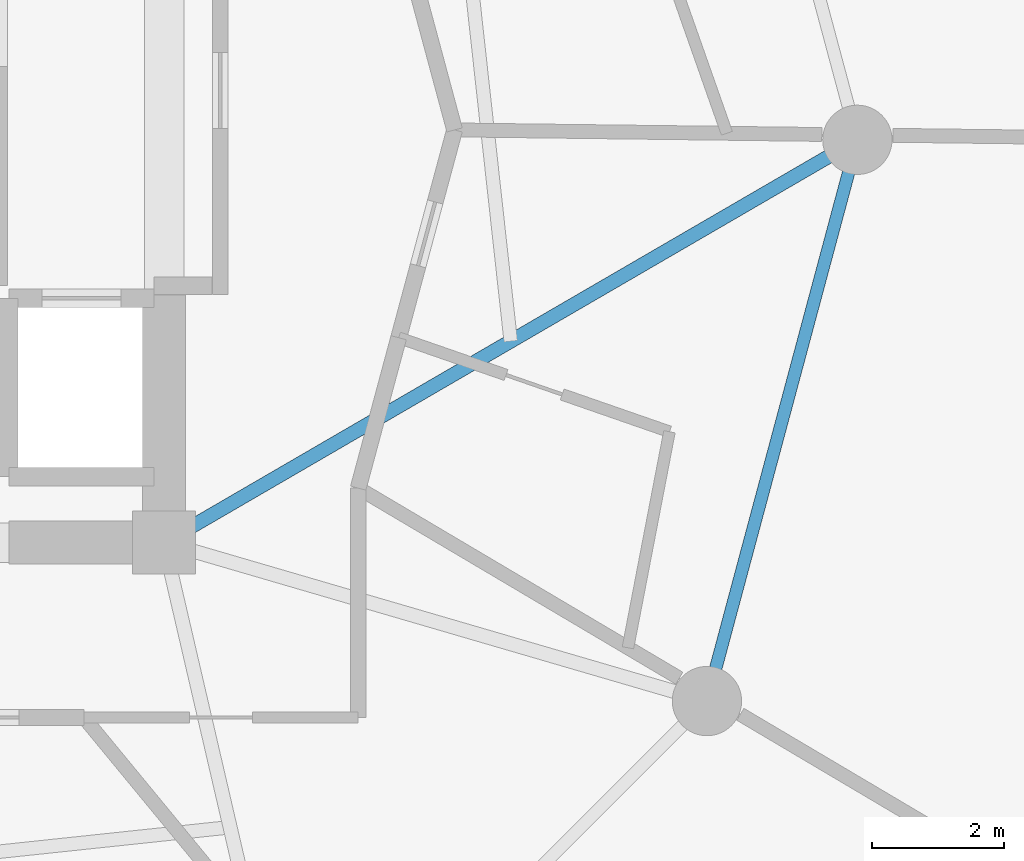
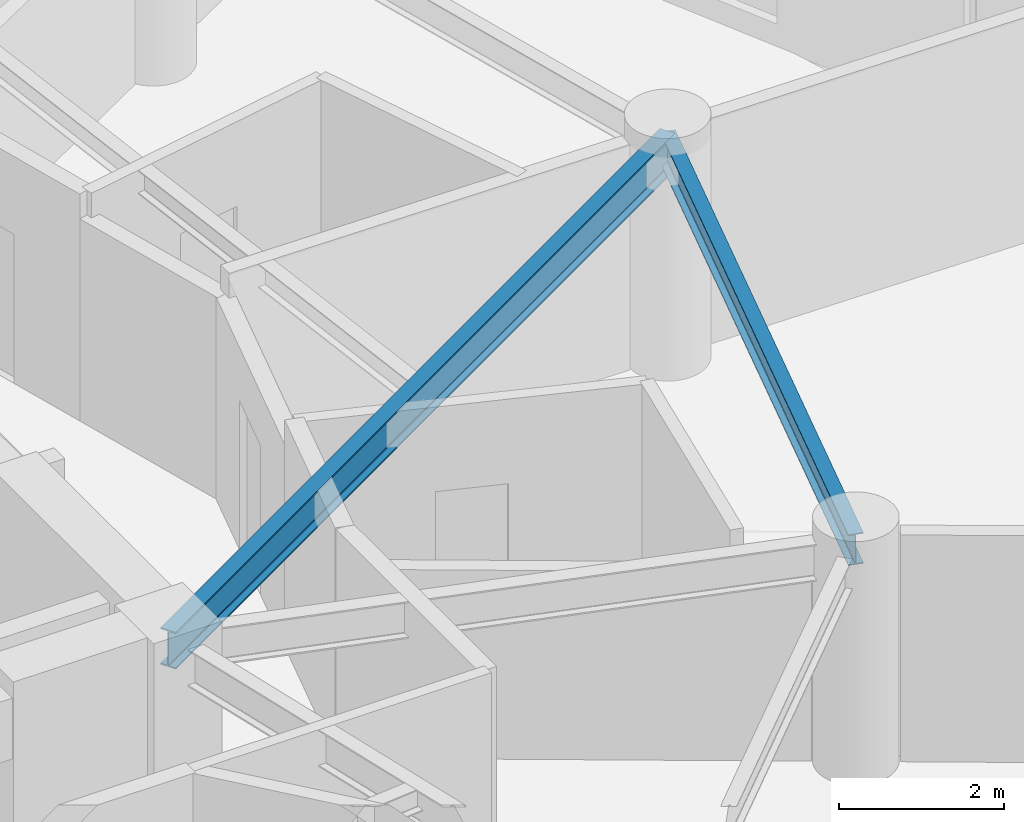
# One storey, part 9 of 23: 2 beams.
"""IFC4 building model written with IfcOpenShell, lengths in metres."""

import ifcopenshell
import ifcopenshell.guid

model = None  # the IFC model being written
_history = None  # IfcOwnerHistory: only IFC2X3 demands one
_inside = {}  # id of a spatial element -> (the spatial element, [elements in it])
_under = {}  # id of a project, library or spatial element -> (it, [spatial elements below it])
_declared = {}  # id of a project -> (the project, [libraries it declares])
_typed = {}  # id of a type object -> (the type object, [elements of that type])
_made_of = {}  # id of a material, layer set ... -> (it, [elements and type objects made of it])


def new_model(schema):
    """Start an empty IFC model of exactly this schema.

    Asked for "IFC4X3", IfcOpenShell would pick the latest addendum, in which some entities
    have other attributes; the version numbers below select the first issue.
    IFC2X3 requires an IfcOwnerHistory on every rooted entity: one is made here for all.
    """
    global model, _history
    if schema == "IFC4X3":
        model = ifcopenshell.file(schema_version=(4, 3, 0, 0))
    else:
        model = ifcopenshell.file(schema=schema)
    _inside.clear()
    _under.clear()
    _declared.clear()
    _typed.clear()
    _made_of.clear()
    _history = None
    if model.schema == "IFC2X3":
        org = make("IfcOrganization", Name="unknown")
        user = make(
            "IfcPersonAndOrganization",
            ThePerson=make("IfcPerson", FamilyName="unknown"),
            TheOrganization=org,
        )
        app = make(
            "IfcApplication",
            ApplicationDeveloper=org,
            Version="unknown",
            ApplicationFullName="unknown",
            ApplicationIdentifier="unknown",
        )
        _history = make(
            "IfcOwnerHistory",
            OwningUser=user,
            OwningApplication=app,
            ChangeAction="ADDED",
            CreationDate=0,
        )
    return model


def make(cls, **values):
    """One entity of the class cls with the attributes given. An attribute that is None is left unset."""
    return model.create_entity(
        cls, **{name: value for name, value in values.items() if value is not None}
    )


def rooted(cls, **values):
    """An entity with a GlobalId (a new one), such as an element, a storey or a relation."""
    return make(cls, GlobalId=ifcopenshell.guid.new(), OwnerHistory=_history, **values)


def si_unit(unit_type, name, prefix=None):
    """IfcSIUnit, for example si_unit("LENGTHUNIT", "METRE", prefix="MILLI")."""
    return make("IfcSIUnit", UnitType=unit_type, Prefix=prefix, Name=name)


def assignment(units):
    """IfcUnitAssignment: the units of a project."""
    return None if units is None else make("IfcUnitAssignment", Units=units)


def point(xyz):
    """IfcCartesianPoint."""
    return None if xyz is None else make("IfcCartesianPoint", Coordinates=xyz)


def direction(xyz):
    """IfcDirection."""
    return None if xyz is None else make("IfcDirection", DirectionRatios=xyz)


def frame(location, z_axis=None, x_axis=None):
    """IfcAxis2Placement3D, a coordinate frame: its origin and axes. An axis left out is left unset."""
    return make(
        "IfcAxis2Placement3D",
        Location=point(location),
        Axis=direction(z_axis),
        RefDirection=direction(x_axis),
    )


def frame_2d(location, x_axis=None):
    """IfcAxis2Placement2D, a coordinate frame in the plane: its origin and x axis."""
    return make(
        "IfcAxis2Placement2D", Location=point(location), RefDirection=direction(x_axis)
    )


def origin():
    """The frame at (0, 0, 0) with its axes left unset."""
    return frame((0.0, 0.0, 0.0))


def origin_2d():
    """The frame at (0, 0) in the plane with its x axis left unset."""
    return frame_2d((0.0, 0.0))


def place(relative_to, where):
    """IfcLocalPlacement: puts the frame where relative to a parent placement (None: the world)."""
    return make(
        "IfcLocalPlacement", PlacementRelTo=relative_to, RelativePlacement=where
    )


def context(
    kind, dimensions, precision=None, world=None, true_north=None, identifier=None
):
    """IfcGeometricRepresentationContext, for example the 3D "Model" context."""
    return make(
        "IfcGeometricRepresentationContext",
        ContextIdentifier=identifier,
        ContextType=kind,
        CoordinateSpaceDimension=dimensions,
        Precision=precision,
        WorldCoordinateSystem=world,
        TrueNorth=true_north,
    )


def subcontext(parent, identifier, kind, view, scale=None):
    """IfcGeometricRepresentationSubContext, for example "Body" below "Model"."""
    return make(
        "IfcGeometricRepresentationSubContext",
        ContextIdentifier=identifier,
        ContextType=kind,
        ParentContext=parent,
        TargetScale=scale,
        TargetView=view,
    )


def project(units=None, contexts=None):
    """IfcProject with its units and contexts."""
    return rooted(
        "IfcProject",
        Name="project",
        RepresentationContexts=contexts,
        UnitsInContext=assignment(units),
    )


def spatial(cls, under=None, at=None, **own):
    """A site, building, storey or space (cls), placed at a placement, below another one or the project."""
    s = rooted(cls, ObjectPlacement=at, **own)
    if under is not None:
        _under.setdefault(under.id(), (under, []))[1].append(s)
    return s


def profile(cls, at=None, kind="AREA", **sizes):
    """A parametric profile (cls). Its sizes go by their IFC names, for example OverallWidth=200.0."""
    return make(cls, ProfileType=kind, Position=at, **sizes)


def i_section(**sizes):
    """IfcIShapeProfileDef."""
    return profile("IfcIShapeProfileDef", **sizes)


def extrude(swept, where, along, depth):
    """IfcExtrudedAreaSolid: the profile swept, set in the frame where, extruded along a direction by depth."""
    return make(
        "IfcExtrudedAreaSolid",
        SweptArea=swept,
        Position=where,
        ExtrudedDirection=direction(along),
        Depth=depth,
    )


def shape(context_of_items, identifier, shape_type, items):
    """IfcShapeRepresentation: the items that make up one representation, for example the "Body"."""
    return make(
        "IfcShapeRepresentation",
        ContextOfItems=context_of_items,
        RepresentationIdentifier=identifier,
        RepresentationType=shape_type,
        Items=items,
    )


def material(Name=None, Category=None):
    """IfcMaterial."""
    return make("IfcMaterial", Name=Name, Category=Category)


def material_profile(
    of_material, cross_section, Name=None, Category=None, Priority=None
):
    """IfcMaterialProfile: a cross section and its material."""
    return make(
        "IfcMaterialProfile",
        Name=Name,
        Material=of_material,
        Profile=cross_section,
        Priority=Priority,
        Category=Category,
    )


def profile_set(profiles, Name=None, composite=None):
    """IfcMaterialProfileSet."""
    return make(
        "IfcMaterialProfileSet",
        Name=Name,
        MaterialProfiles=profiles,
        CompositeProfile=composite,
    )


def made_of(thing, what):
    """Note that an element or type object is made of a material, layer set ...; save() writes the relation."""
    if what is not None:
        _made_of.setdefault(what.id(), (what, []))[1].append(thing)
    return thing


def type_object(cls, material=None, **own):
    """A type object (cls), such as IfcWallType, which elements share."""
    return made_of(rooted(cls, **own), material)


def element(
    cls,
    number,
    at=None,
    inside=None,
    cuts=None,
    type_object=None,
    material=None,
    context=None,
    identifier="Body",
    shape_type=None,
    held_by="IfcProductDefinitionShape",
    body=None,
    shapes=None,
    **own,
):
    """One element of the class cls, such as IfcWall. Its Tag is "e" and its number.

    at: its placement. inside: the storey or other place that contains it. cuts: it is an
    opening in that element (IfcRelVoidsElement). A single representation is given by context,
    identifier, shape_type and body (its items); several are given by shapes. held_by: the class
    of the entity that holds the representations. save() writes the other relations.
    """
    e = rooted(cls, Tag="e%d" % number, ObjectPlacement=at, **own)
    if body is not None:
        shapes = [shape(context, identifier, shape_type, body)]
    if shapes is not None:
        e.Representation = make(held_by, Representations=shapes)
    if inside is not None:
        _inside.setdefault(inside.id(), (inside, []))[1].append(e)
    if cuts is not None:
        rooted(
            "IfcRelVoidsElement", RelatingBuildingElement=cuts, RelatedOpeningElement=e
        )
    if type_object is not None:
        _typed.setdefault(type_object.id(), (type_object, []))[1].append(e)
    return made_of(e, material)


def aggregate(whole, parts):
    """IfcRelAggregates: a whole, such as a stair, and the parts it consists of."""
    return rooted("IfcRelAggregates", RelatingObject=whole, RelatedObjects=parts)


def save(model, path):
    """Write the relations noted so far, then the file.

    IfcRelAggregates (storeys below a building ...), IfcRelContainedInSpatialStructure (elements
    in a storey), IfcRelDefinesByType, IfcRelAssociatesMaterial and IfcRelDeclares: one each for
    every whole, place, type object, material and project.
    """
    for whole, parts in _under.values():
        aggregate(whole, parts)
    for where, things in _inside.values():
        rooted(
            "IfcRelContainedInSpatialStructure",
            RelatedElements=things,
            RelatingStructure=where,
        )
    for kind, things in _typed.values():
        rooted("IfcRelDefinesByType", RelatedObjects=things, RelatingType=kind)
    for what, things in _made_of.values():
        rooted("IfcRelAssociatesMaterial", RelatedObjects=things, RelatingMaterial=what)
    for by, libraries in _declared.values():
        rooted("IfcRelDeclares", RelatingContext=by, RelatedDefinitions=libraries)
    model.write(path)


model = new_model("IFC4")

# Units and contexts
model_context = context("Model", 3, precision=1e-05, world=origin(), true_north=direction((0.0, 1.0)))
body_context = subcontext(model_context, "Body", "Model", "MODEL_VIEW")
ifc_project = project(units=[si_unit("LENGTHUNIT", "METRE"), si_unit("AREAUNIT", "SQUARE_METRE"), si_unit("VOLUMEUNIT", "CUBIC_METRE"), si_unit("PLANEANGLEUNIT", "RADIAN"), si_unit("MASSUNIT", "GRAM", prefix="KILO")], contexts=[model_context])

# Site, building, storey
site_placement = place(None, origin())
site = spatial("IfcSite", under=ifc_project, at=site_placement, CompositionType="ELEMENT")
building_placement = place(site_placement, origin())
building = spatial("IfcBuilding", under=site, at=building_placement, Name="Solvirekh Grand Hotel", CompositionType="ELEMENT")
storey_placement = place(building_placement, frame((0.0, 0.0, 138.60009765625)))
storey = spatial("IfcBuildingStorey", under=building, at=storey_placement, Name="L35", CompositionType="ELEMENT", Elevation=138.60009765625)

# Beams
ifc_material = material(Name="Steel S355", Category="steel")
ifc_material_profile_1 = material_profile(ifc_material, i_section(OverallWidth=0.2119140625, OverallDepth=0.5439453125, WebThickness=0.011962890625, FlangeThickness=0.01904296875, FilletRadius=0.013916015625, at=origin_2d()), Name="W530X123")
ifc_profile_set_1 = profile_set([ifc_material_profile_1], Name="Steel S355")
beam_type_1 = type_object("IfcBeamType", Name="Beam_Radial_W530H", PredefinedType="BEAM", material=ifc_profile_set_1)
beam_1_placement = place(storey_placement, frame((6.5, -6.10009765625, 3.077880859375), z_axis=(0.864670076815, 0.50234018181, 0.0), x_axis=(-0.50234018181, 0.864670076815, 0.0)))
element("IfcBeam", 1, at=beam_1_placement, inside=storey, type_object=beam_type_1, Name="L35 radial floor beam R01", PredefinedType="BEAM", context=body_context, shape_type="SweptSolid", body=[
    extrude(i_section(OverallWidth=0.2119140625, OverallDepth=0.5439453125, WebThickness=0.011962890625, FlangeThickness=0.01904296875, FilletRadius=0.013916015625, at=origin_2d()), origin(), (0.0, 0.0, 1.0), 12.143310546875),
])
ifc_material_profile_2 = material_profile(ifc_material, i_section(OverallWidth=0.18994140625, OverallDepth=0.45703125, WebThickness=0.009033203125, FlangeThickness=0.013916015625, FilletRadius=0.012939453125, at=origin_2d()), Name="W460X74")
ifc_profile_set_2 = profile_set([ifc_material_profile_2], Name="Steel S355")
beam_type_2 = type_object("IfcBeamType", Name="Spandrel_Ring_W460", PredefinedType="SPANDREL", material=ifc_profile_set_2)
beam_2_placement = place(storey_placement, frame((14.721923828125, -8.5, 3.120849609375), z_axis=(0.258872908946, 0.965911391906, 0.0), x_axis=(-0.965911391906, 0.258872908946, 0.0)))
element("IfcBeam", 2, at=beam_2_placement, inside=storey, type_object=beam_type_2, Name="L35 perimeter spandrel beam 12", PredefinedType="SPANDREL", context=body_context, shape_type="SweptSolid", body=[
    extrude(i_section(OverallWidth=0.18994140625, OverallDepth=0.45703125, WebThickness=0.009033203125, FlangeThickness=0.013916015625, FilletRadius=0.012939453125, at=origin_2d()), origin(), (0.0, 0.0, 1.0), 8.800048828125),
])

save(model, "model.ifc")
